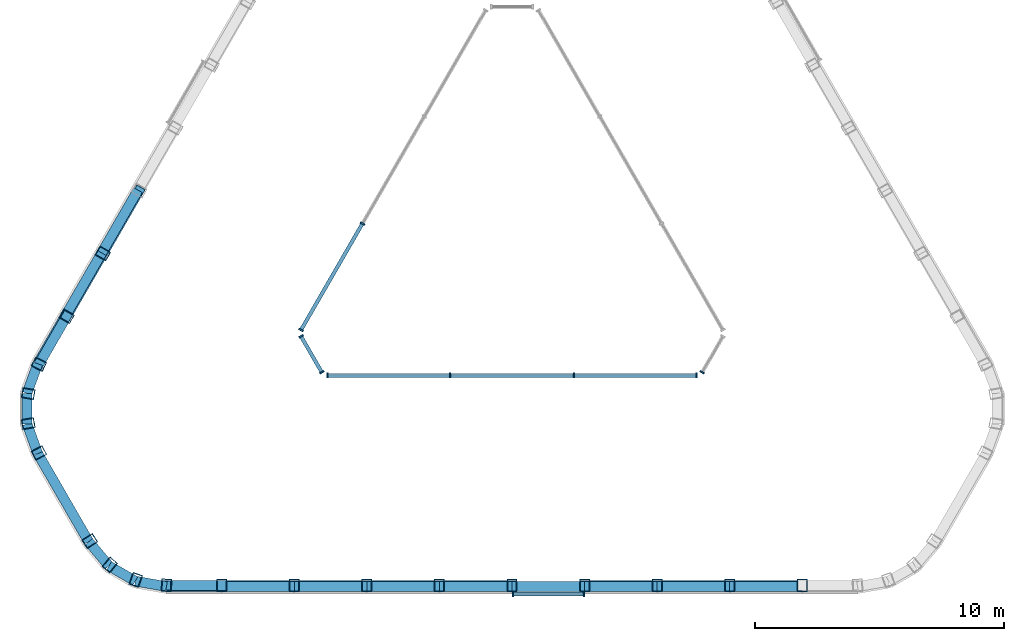
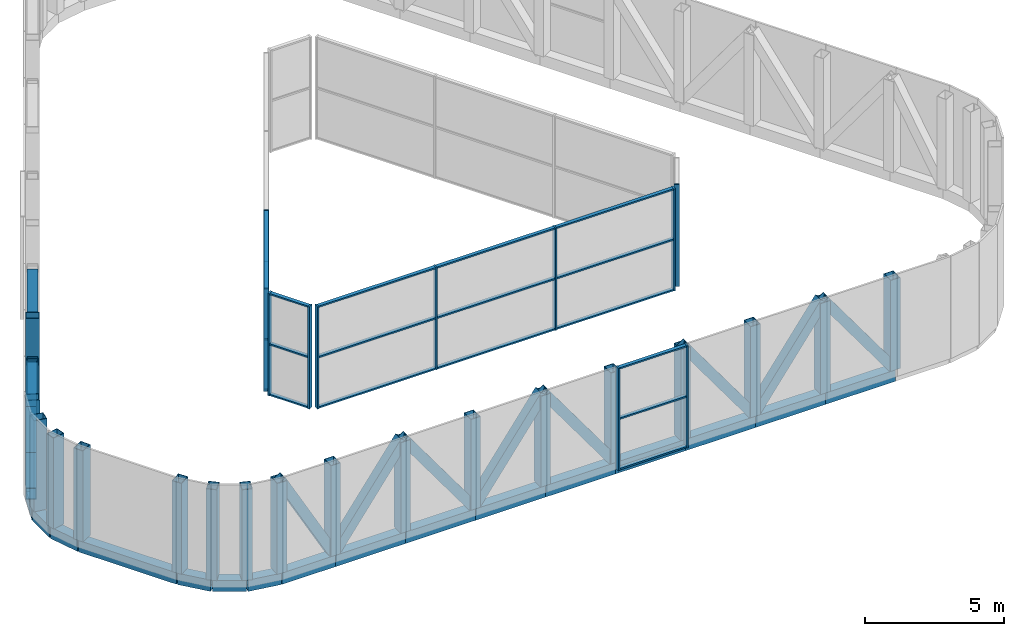
# One storey, part 1 of 5: 78 members, 5 elements without a shape of their own.
"""IFC4 building model written with IfcOpenShell, lengths in metres."""

from ifc_helpers import new_model, si_unit, direction, frame, origin, origin_2d, place, context, subcontext, project, spatial, rectangle, hollow_rectangle, extrude, material, layer, layer_set, material_profile, profile_set, type_object, element, aggregate, save


model = new_model("IFC4")

# Units and contexts
model_context = context("Model", 3, precision=1e-05, world=origin(), true_north=direction((0.0, 1.0)))
body_context = subcontext(model_context, "Body", "Model", "MODEL_VIEW")
ifc_project = project(units=[si_unit("LENGTHUNIT", "METRE"), si_unit("AREAUNIT", "SQUARE_METRE"), si_unit("VOLUMEUNIT", "CUBIC_METRE"), si_unit("PLANEANGLEUNIT", "RADIAN"), si_unit("MASSUNIT", "GRAM", prefix="KILO")], contexts=[model_context])

# Site, building, storey
site_placement = place(None, origin())
site = spatial("IfcSite", under=ifc_project, at=site_placement, CompositionType="ELEMENT")
building_placement = place(site_placement, origin())
building = spatial("IfcBuilding", under=site, at=building_placement, Name="Apuvela Tower Hotel", CompositionType="ELEMENT")
storey_placement = place(building_placement, frame((0.0, 0.0, 353.300048828125)))
storey = spatial("IfcBuildingStorey", under=building, at=storey_placement, Name="R-3 ROOF", CompositionType="ELEMENT", Elevation=353.300048828125)

# Members
ifc_material_1 = material(Name="Steel S355, black paint system", Category="steel")
ifc_material_profile_1 = material_profile(ifc_material_1, hollow_rectangle(XDim=0.39990234375, YDim=0.39990234375, WallThickness=0.01611328125, at=origin_2d()), Name="HSS 400x400x16")
ifc_profile_set_1 = profile_set([ifc_material_profile_1], Name="Steel S355, black paint system")
member_type_1 = type_object("IfcMemberType", Name="ENV-CROWN-BRACE-400x400", PredefinedType="BRACE", material=ifc_profile_set_1)
for number, where, z_axis, x_axis, name in (
    (1, (-16.428466796875, -0.602294921875, 0.25), (0.294292360305, 0.509682392621, 0.808465129315), (-0.866005469285, 0.500034525977, 0.0), "Crown frame brace 14"),
    (2, (-16.428466796875, -0.602294921875, 0.25), (-0.294284958722, -0.509718917438, 0.80844479606), (0.866026430432, -0.49999822179, 0.0), "Crown frame brace 15"),
):
    element("IfcMember", number, at=place(storey_placement, frame(where, z_axis=z_axis, x_axis=x_axis)), inside=storey, type_object=member_type_1, Name=name, PredefinedType="BRACE", context=body_context, shape_type="SweptSolid", body=[
        extrude(hollow_rectangle(XDim=0.39990234375, YDim=0.39990234375, WallThickness=0.01611328125, at=origin_2d()), origin(), (0.0, 0.0, 1.0), 4.94775390625),
    ])
member_1_placement = place(storey_placement, frame((-18.99609375, -5.0498046875, 0.25), z_axis=(0.242893162774, 0.420755188842, 0.874052620006), x_axis=(-0.866052104262, 0.499953750565, 0.0)))
element("IfcMember", 3, at=member_1_placement, inside=storey, type_object=member_type_1, Name="Crown frame brace 16", PredefinedType="BRACE", context=body_context, shape_type="SweptSolid", body=[
    extrude(hollow_rectangle(XDim=0.39990234375, YDim=0.39990234375, WallThickness=0.01611328125, at=origin_2d()), origin(), (0.0, 0.0, 1.0), 4.576416015625),
])
member_2_placement = place(storey_placement, frame((-11.64794921875, -13.92626953125, 0.25), z_axis=(-0.485796931429, 0.0, 0.874071702673), x_axis=(0.0, -1.0, 0.0)))
element("IfcMember", 4, at=member_2_placement, inside=storey, type_object=member_type_1, Name="Crown frame brace 24", PredefinedType="BRACE", context=body_context, shape_type="SweptSolid", body=[
    extrude(hollow_rectangle(XDim=0.39990234375, YDim=0.39990234375, WallThickness=0.01611328125, at=origin_2d()), origin(), (0.0, 0.0, 1.0), 4.576171875),
])
member_3_placement = place(storey_placement, frame((-11.64794921875, -13.92626953125, 0.25), z_axis=(0.588570642565, 0.0, 0.808445792067), x_axis=(0.0, 1.0, 0.0)))
element("IfcMember", 5, at=member_3_placement, inside=storey, type_object=member_type_1, Name="Crown frame brace 25", PredefinedType="BRACE", context=body_context, shape_type="SweptSolid", body=[
    extrude(hollow_rectangle(XDim=0.39990234375, YDim=0.39990234375, WallThickness=0.01611328125, at=origin_2d()), origin(), (0.0, 0.0, 1.0), 4.94775390625),
])
for number, where, z_axis, x_axis, name in (
    (6, (-5.823974609375, -13.92626953125, 0.25), (-0.588538390933, 0.0, 0.808469271153), (0.0, -1.0, 0.0), "Crown frame brace 26"),
    (7, (-5.823974609375, -13.92626953125, 0.25), (0.588538390933, 0.0, 0.808469271153), (0.0, 1.0, 0.0), "Crown frame brace 27"),
):
    element("IfcMember", number, at=place(storey_placement, frame(where, z_axis=z_axis, x_axis=x_axis)), inside=storey, type_object=member_type_1, Name=name, PredefinedType="BRACE", context=body_context, shape_type="SweptSolid", body=[
        extrude(hollow_rectangle(XDim=0.39990234375, YDim=0.39990234375, WallThickness=0.01611328125, at=origin_2d()), origin(), (0.0, 0.0, 1.0), 4.947509765625),
    ])
member_4_placement = place(storey_placement, frame((0.0, -13.92626953125, 0.25), z_axis=(-0.588570642565, 0.0, 0.808445792067), x_axis=(0.0, -1.0, 0.0)))
element("IfcMember", 8, at=member_4_placement, inside=storey, type_object=member_type_1, Name="Crown frame brace 28", PredefinedType="BRACE", context=body_context, shape_type="SweptSolid", body=[
    extrude(hollow_rectangle(XDim=0.39990234375, YDim=0.39990234375, WallThickness=0.01611328125, at=origin_2d()), origin(), (0.0, 0.0, 1.0), 4.94775390625),
])
for number, where, z_axis, x_axis, name in (
    (9, (5.823974609375, -13.92626953125, 0.25), (-0.588538390933, 0.0, 0.808469271153), (0.0, -1.0, 0.0), "Crown frame brace 30"),
    (10, (5.823974609375, -13.92626953125, 0.25), (0.588538390933, 0.0, 0.808469271153), (0.0, 1.0, 0.0), "Crown frame brace 31"),
):
    element("IfcMember", number, at=place(storey_placement, frame(where, z_axis=z_axis, x_axis=x_axis)), inside=storey, type_object=member_type_1, Name=name, PredefinedType="BRACE", context=body_context, shape_type="SweptSolid", body=[
        extrude(hollow_rectangle(XDim=0.39990234375, YDim=0.39990234375, WallThickness=0.01611328125, at=origin_2d()), origin(), (0.0, 0.0, 1.0), 4.947509765625),
    ])
member_5_placement = place(storey_placement, frame((11.64794921875, -13.92626953125, 0.25), z_axis=(-0.588570642565, 0.0, 0.808445792067), x_axis=(0.0, -1.0, 0.0)))
element("IfcMember", 11, at=member_5_placement, inside=storey, type_object=member_type_1, Name="Crown frame brace 32", PredefinedType="BRACE", context=body_context, shape_type="SweptSolid", body=[
    extrude(hollow_rectangle(XDim=0.39990234375, YDim=0.39990234375, WallThickness=0.01611328125, at=origin_2d()), origin(), (0.0, 0.0, 1.0), 4.94775390625),
])
ifc_material_profile_2 = material_profile(ifc_material_1, hollow_rectangle(XDim=0.39990234375, YDim=0.5, WallThickness=0.02001953125, at=origin_2d()), Name="HSS 500x400x20")
ifc_profile_set_2 = profile_set([ifc_material_profile_2], Name="Steel S355, black paint system")
member_type_2 = type_object("IfcMemberType", Name="ENV-CROWN-POST-500x400", PredefinedType="POST", material=ifc_profile_set_2)
for number, where, z_axis, x_axis, name in (
    (12, (-16.428466796875, -0.602294921875, 0.25), (0.0, 0.0, 1.0), (-0.5, -0.866025403784, 0.0), "Crown frame post 15"),
    (13, (-17.884521484375, -3.124267578125, 0.25), (0.0, 0.0, 1.0), (-0.5, -0.866025403784, 0.0), "Crown frame post 16"),
    (14, (-18.99609375, -5.0498046875, 0.25), (0.0, 0.0, 1.0), (-0.444553885133, -0.895752110359, 0.0), "Crown frame post 17"),
    (15, (-19.42529296875, -6.229248046875, 0.25), (0.0, 0.0, 1.0), (-0.177414537484, -0.984136211045, 0.0), "Crown frame post 18"),
    (16, (-19.42529296875, -7.43115234375, 0.25), (0.0, 0.0, 1.0), (0.177414537484, -0.984136211045, 0.0), "Crown frame post 19"),
    (17, (-18.99609375, -8.610595703125, 0.25), (0.0, 0.0, 1.0), (0.464115596815, -0.885774639958, 0.0), "Crown frame post 20"),
    (18, (-16.955078125, -12.145751953125, 0.25), (0.0, 0.0, 1.0), (0.535045541825, -0.844823217113, 0.0), "Crown frame post 21"),
    (19, (-16.148193359375, -13.107421875, 0.25), (0.0, 0.0, 1.0), (0.763579690807, -0.645713601984, 0.0), "Crown frame post 22"),
    (20, (-15.107421875, -13.708251953125, 0.25), (0.0, 0.0, 1.0), (0.940994228291, -0.33842260906, 0.0), "Crown frame post 23"),
    (21, (-13.87109375, -13.92626953125, 0.25), (0.0, 0.0, 1.0), (0.998021025631, -0.062881097303, 0.0), "Crown frame post 24"),
    (22, (-11.64794921875, -13.92626953125, 0.25), (0.0, 0.0, 1.0), (1.0, 0.0, 0.0), "Crown frame post 25"),
    (23, (-8.73583984375, -13.92626953125, 0.25), (0.0, 0.0, 1.0), (1.0, 0.0, 0.0), "Crown frame post 26"),
    (24, (-5.823974609375, -13.92626953125, 0.25), (0.0, 0.0, 1.0), (1.0, 0.0, 0.0), "Crown frame post 27"),
    (25, (-2.912109375, -13.92626953125, 0.25), (0.0, 0.0, 1.0), (1.0, 0.0, 0.0), "Crown frame post 28"),
    (26, (0.0, -13.92626953125, 0.25), (0.0, 0.0, 1.0), (1.0, 0.0, 0.0), "Crown frame post 29"),
    (27, (2.912109375, -13.92626953125, 0.25), (0.0, 0.0, 1.0), (1.0, 0.0, 0.0), "Crown frame post 30"),
    (28, (5.823974609375, -13.92626953125, 0.25), (0.0, 0.0, 1.0), (1.0, 0.0, 0.0), "Crown frame post 31"),
    (29, (8.73583984375, -13.92626953125, 0.25), (0.0, 0.0, 1.0), (1.0, 0.0, 0.0), "Crown frame post 32"),
    (30, (11.64794921875, -13.92626953125, 0.25), (0.0, 0.0, 1.0), (1.0, 0.0, 0.0), "Crown frame post 33"),
):
    element("IfcMember", number, at=place(storey_placement, frame(where, z_axis=z_axis, x_axis=x_axis)), inside=storey, type_object=member_type_2, Name=name, PredefinedType="POST", context=body_context, shape_type="SweptSolid", body=[
        extrude(hollow_rectangle(XDim=0.39990234375, YDim=0.5, WallThickness=0.02001953125, at=origin_2d()), origin(), (0.0, 0.0, 1.0), 4.0),
    ])
ifc_material_profile_3 = material_profile(ifc_material_1, hollow_rectangle(XDim=0.39990234375, YDim=0.5, WallThickness=0.01611328125, at=origin_2d()), Name="HSS 500x400x16")
ifc_profile_set_3 = profile_set([ifc_material_profile_3], Name="Steel S355, black paint system")
member_type_3 = type_object("IfcMemberType", Name="ENV-CROWN-RING-500x400", PredefinedType="STRINGER", material=ifc_profile_set_3)
member_6_placement = place(storey_placement, frame((-15.0166015625, 1.94287109375, 0.0), z_axis=(-0.500015065024, -0.866016705814, 0.0), x_axis=(0.866016705814, -0.500015065024, 0.0)))
element("IfcMember", 31, at=member_6_placement, inside=storey, type_object=member_type_3, Name="Crown frame ring beam 3.14", PredefinedType="STRINGER", context=body_context, shape_type="SweptSolid", body=[
    extrude(hollow_rectangle(XDim=0.39990234375, YDim=0.5, WallThickness=0.01611328125, at=origin_2d()), origin(), (0.0, 0.0, 1.0), 2.9130859375),
])
member_7_placement = place(storey_placement, frame((-16.47314453125, -0.579833984375, 0.0), z_axis=(-0.499952204256, -0.866052996912, 0.0), x_axis=(0.866052996912, -0.499952204256, 0.0)))
element("IfcMember", 32, at=member_7_placement, inside=storey, type_object=member_type_3, Name="Crown frame ring beam 3.15", PredefinedType="STRINGER", context=body_context, shape_type="SweptSolid", body=[
    extrude(hollow_rectangle(XDim=0.39990234375, YDim=0.5, WallThickness=0.01611328125, at=origin_2d()), origin(), (0.0, 0.0, 1.0), 2.912841796875),
])
member_8_placement = place(storey_placement, frame((-17.929443359375, -3.1025390625, 0.0), z_axis=(-0.500023359282, -0.866011916877, 0.0), x_axis=(0.866011916877, -0.500023359282, 0.0)))
element("IfcMember", 33, at=member_8_placement, inside=storey, type_object=member_type_3, Name="Crown frame ring beam 3.16", PredefinedType="STRINGER", context=body_context, shape_type="SweptSolid", body=[
    extrude(hollow_rectangle(XDim=0.39990234375, YDim=0.5, WallThickness=0.01611328125, at=origin_2d()), origin(), (0.0, 0.0, 1.0), 2.22412109375),
])
member_9_placement = place(storey_placement, frame((-19.04150390625, -5.028564453125, 0.0), z_axis=(-0.34203668354, -0.939686600475, 0.0), x_axis=(0.939686600475, -0.34203668354, 0.0)))
element("IfcMember", 34, at=member_9_placement, inside=storey, type_object=member_type_3, Name="Crown frame ring beam 3.17", PredefinedType="STRINGER", context=body_context, shape_type="SweptSolid", body=[
    extrude(hollow_rectangle(XDim=0.39990234375, YDim=0.5, WallThickness=0.01611328125, at=origin_2d()), origin(), (0.0, 0.0, 1.0), 1.268310546875),
])
member_10_placement = place(storey_placement, frame((-19.475341796875, -6.220458984375, 0.0), z_axis=(0.0, -1.0, 0.0), x_axis=(1.0, 0.0, 0.0)))
element("IfcMember", 35, at=member_10_placement, inside=storey, type_object=member_type_3, Name="Crown frame ring beam 3.18", PredefinedType="STRINGER", context=body_context, shape_type="SweptSolid", body=[
    extrude(hollow_rectangle(XDim=0.39990234375, YDim=0.5, WallThickness=0.01611328125, at=origin_2d()), origin(), (0.0, 0.0, 1.0), 1.219482421875),
])
member_11_placement = place(storey_placement, frame((-19.475341796875, -7.43994140625, 0.0), z_axis=(0.34203668354, -0.939686600475, 0.0), x_axis=(0.939686600475, 0.34203668354, 0.0)))
element("IfcMember", 36, at=member_11_placement, inside=storey, type_object=member_type_3, Name="Crown frame ring beam 3.19", PredefinedType="STRINGER", context=body_context, shape_type="SweptSolid", body=[
    extrude(hollow_rectangle(XDim=0.39990234375, YDim=0.5, WallThickness=0.01611328125, at=origin_2d()), origin(), (0.0, 0.0, 1.0), 1.268310546875),
])
member_12_placement = place(storey_placement, frame((-19.04150390625, -8.6318359375, 0.0), z_axis=(0.500003144135, -0.86602358851, 0.0), x_axis=(0.86602358851, 0.500003144135, 0.0)))
element("IfcMember", 37, at=member_12_placement, inside=storey, type_object=member_type_3, Name="Crown frame ring beam 3.20", PredefinedType="STRINGER", context=body_context, shape_type="SweptSolid", body=[
    extrude(hollow_rectangle(XDim=0.39990234375, YDim=0.5, WallThickness=0.01611328125, at=origin_2d()), origin(), (0.0, 0.0, 1.0), 4.0908203125),
])
member_13_placement = place(storey_placement, frame((-16.99609375, -12.174560546875, 0.0), z_axis=(0.642717965607, -0.766102876046, 0.0), x_axis=(0.766102876046, 0.642717965607, 0.0)))
element("IfcMember", 38, at=member_13_placement, inside=storey, type_object=member_type_3, Name="Crown frame ring beam 3.21", PredefinedType="STRINGER", context=body_context, shape_type="SweptSolid", body=[
    extrude(hollow_rectangle(XDim=0.39990234375, YDim=0.5, WallThickness=0.01611328125, at=origin_2d()), origin(), (0.0, 0.0, 1.0), 1.268310546875),
])
member_14_placement = place(storey_placement, frame((-16.180908203125, -13.146240234375, 0.0), z_axis=(0.866078909804, -0.499907313403, 0.0), x_axis=(0.499907313403, 0.866078909804, 0.0)))
element("IfcMember", 39, at=member_14_placement, inside=storey, type_object=member_type_3, Name="Crown frame ring beam 3.22", PredefinedType="STRINGER", context=body_context, shape_type="SweptSolid", body=[
    extrude(hollow_rectangle(XDim=0.39990234375, YDim=0.5, WallThickness=0.01611328125, at=origin_2d()), origin(), (0.0, 0.0, 1.0), 1.219482421875),
])
member_15_placement = place(storey_placement, frame((-15.124755859375, -13.755859375, 0.0), z_axis=(0.984783558818, -0.173785333909, 0.0), x_axis=(0.173785333909, 0.984783558818, 0.0)))
element("IfcMember", 40, at=member_15_placement, inside=storey, type_object=member_type_3, Name="Crown frame ring beam 3.23", PredefinedType="STRINGER", context=body_context, shape_type="SweptSolid", body=[
    extrude(hollow_rectangle(XDim=0.39990234375, YDim=0.5, WallThickness=0.01611328125, at=origin_2d()), origin(), (0.0, 0.0, 1.0), 1.2685546875),
])
member_16_placement = place(storey_placement, frame((-13.87548828125, -13.976318359375, 0.0), z_axis=(1.0, 0.0, 0.0), x_axis=(0.0, 1.0, 0.0)))
element("IfcMember", 41, at=member_16_placement, inside=storey, type_object=member_type_3, Name="Crown frame ring beam 3.24", PredefinedType="STRINGER", context=body_context, shape_type="SweptSolid", body=[
    extrude(hollow_rectangle(XDim=0.39990234375, YDim=0.5, WallThickness=0.01611328125, at=origin_2d()), origin(), (0.0, 0.0, 1.0), 2.223876953125),
])
member_17_placement = place(storey_placement, frame((-11.651611328125, -13.976318359375, 0.0), z_axis=(1.0, 0.0, 0.0), x_axis=(0.0, 1.0, 0.0)))
element("IfcMember", 42, at=member_17_placement, inside=storey, type_object=member_type_3, Name="Crown frame ring beam 3.25", PredefinedType="STRINGER", context=body_context, shape_type="SweptSolid", body=[
    extrude(hollow_rectangle(XDim=0.39990234375, YDim=0.5, WallThickness=0.01611328125, at=origin_2d()), origin(), (0.0, 0.0, 1.0), 2.912841796875),
])
member_18_placement = place(storey_placement, frame((-8.73876953125, -13.976318359375, 0.0), z_axis=(1.0, 0.0, 0.0), x_axis=(0.0, 1.0, 0.0)))
element("IfcMember", 43, at=member_18_placement, inside=storey, type_object=member_type_3, Name="Crown frame ring beam 3.26", PredefinedType="STRINGER", context=body_context, shape_type="SweptSolid", body=[
    extrude(hollow_rectangle(XDim=0.39990234375, YDim=0.5, WallThickness=0.01611328125, at=origin_2d()), origin(), (0.0, 0.0, 1.0), 2.9130859375),
])
for number, where, z_axis, x_axis, name in (
    (44, (-5.82568359375, -13.976318359375, 0.0), (1.0, 0.0, 0.0), (0.0, 1.0, 0.0), "Crown frame ring beam 3.27"),
    (45, (-2.912841796875, -13.976318359375, 0.0), (1.0, 0.0, 0.0), (0.0, 1.0, 0.0), "Crown frame ring beam 3.28"),
    (46, (0.0, -13.976318359375, 0.0), (1.0, 0.0, 0.0), (0.0, 1.0, 0.0), "Crown frame ring beam 3.29"),
    (47, (2.912841796875, -13.976318359375, 0.0), (1.0, 0.0, 0.0), (0.0, 1.0, 0.0), "Crown frame ring beam 3.30"),
):
    element("IfcMember", number, at=place(storey_placement, frame(where, z_axis=z_axis, x_axis=x_axis)), inside=storey, type_object=member_type_3, Name=name, PredefinedType="STRINGER", context=body_context, shape_type="SweptSolid", body=[
        extrude(hollow_rectangle(XDim=0.39990234375, YDim=0.5, WallThickness=0.01611328125, at=origin_2d()), origin(), (0.0, 0.0, 1.0), 2.912841796875),
    ])
member_19_placement = place(storey_placement, frame((5.82568359375, -13.976318359375, 0.0), z_axis=(1.0, 0.0, 0.0), x_axis=(0.0, 1.0, 0.0)))
element("IfcMember", 48, at=member_19_placement, inside=storey, type_object=member_type_3, Name="Crown frame ring beam 3.31", PredefinedType="STRINGER", context=body_context, shape_type="SweptSolid", body=[
    extrude(hollow_rectangle(XDim=0.39990234375, YDim=0.5, WallThickness=0.01611328125, at=origin_2d()), origin(), (0.0, 0.0, 1.0), 2.9130859375),
])
member_20_placement = place(storey_placement, frame((8.73876953125, -13.976318359375, 0.0), z_axis=(1.0, 0.0, 0.0), x_axis=(0.0, 1.0, 0.0)))
element("IfcMember", 49, at=member_20_placement, inside=storey, type_object=member_type_3, Name="Crown frame ring beam 3.32", PredefinedType="STRINGER", context=body_context, shape_type="SweptSolid", body=[
    extrude(hollow_rectangle(XDim=0.39990234375, YDim=0.5, WallThickness=0.01611328125, at=origin_2d()), origin(), (0.0, 0.0, 1.0), 2.912841796875),
])

# Curtain wall, members
ifc_material_2 = material(Name="Aluminium 6063-T6, dark bronze anodised", Category="aluminium")
ifc_layer_1 = layer(ifc_material_2, 0.199951171875)
ifc_layer_set_1 = layer_set([ifc_layer_1], Name="ENV-CW-C")
curtain_wall_type_1 = type_object("IfcCurtainWallType", Name="ENV-CW-C", PredefinedType="NOTDEFINED", material=ifc_layer_set_1)
curtain_wall_1_placement = place(storey_placement, origin())
curtain_wall_1 = element("IfcCurtainWall", 50, at=curtain_wall_1_placement, inside=storey, type_object=curtain_wall_type_1, Name="Crown glazing 29 R-3 ROOF", PredefinedType="NOTDEFINED")
ifc_material_profile_4 = material_profile(ifc_material_2, rectangle(XDim=0.199951171875, YDim=0.06494140625, at=origin_2d()), Name="AL 65x200")
ifc_profile_set_4 = profile_set([ifc_material_profile_4], Name="Aluminium 6063-T6, dark bronze anodised")
member_type_4 = type_object("IfcMemberType", Name="ENV-MULLION-65x200", PredefinedType="MULLION", material=ifc_profile_set_4)
member_21_placement = place(storey_placement, frame((0.032470703125, -14.276123046875, 0.0), z_axis=(0.0, 0.0, 1.0), x_axis=(0.0, 1.0, 0.0)))
member_21 = element("IfcMember", 51, at=member_21_placement, type_object=member_type_4, Name="CW-C mullion 1", PredefinedType="MULLION", context=body_context, shape_type="SweptSolid", body=[
    extrude(rectangle(XDim=0.199951171875, YDim=0.06494140625, at=origin_2d()), origin(), (0.0, 0.0, 1.0), 4.5),
])
member_22_placement = place(storey_placement, frame((2.884765625, -14.276123046875, 0.0), z_axis=(0.0, 0.0, 1.0), x_axis=(0.0, 1.0, 0.0)))
member_22 = element("IfcMember", 52, at=member_22_placement, type_object=member_type_4, Name="CW-C mullion 2", PredefinedType="MULLION", context=body_context, shape_type="SweptSolid", body=[
    extrude(rectangle(XDim=0.199951171875, YDim=0.06494140625, at=origin_2d()), origin(), (0.0, 0.0, 1.0), 4.5),
])

ifc_layer_2 = layer(ifc_material_2, 0.199951171875)
ifc_layer_set_2 = layer_set([ifc_layer_2], Name="ENV-CW-A")
curtain_wall_type_2 = type_object("IfcCurtainWallType", Name="ENV-CW-A", PredefinedType="NOTDEFINED", material=ifc_layer_set_2)
curtain_wall_2_placement = place(storey_placement, origin())
curtain_wall_2 = element("IfcCurtainWall", 53, at=curtain_wall_2_placement, inside=storey, type_object=curtain_wall_type_2, Name="Atrium glazing 2 R-3 ROOF", PredefinedType="NOTDEFINED")
member_23_placement = place(storey_placement, frame((-6.00439453125, 0.60009765625, 0.0), z_axis=(0.0, 0.0, 1.0), x_axis=(0.866025940778, -0.499999069899, 0.0)))
member_23 = element("IfcMember", 54, at=member_23_placement, type_object=member_type_4, Name="CW-A mullion 3", PredefinedType="MULLION", context=body_context, shape_type="SweptSolid", body=[
    extrude(rectangle(XDim=0.199951171875, YDim=0.06494140625, at=origin_2d()), origin(), (0.0, 0.0, 1.0), 4.5),
])
member_24_placement = place(storey_placement, frame((-8.470703125, -3.671875, 0.0), z_axis=(0.0, 0.0, 1.0), x_axis=(0.866025940778, -0.499999069899, 0.0)))
member_24 = element("IfcMember", 55, at=member_24_placement, type_object=member_type_4, Name="CW-A mullion 4", PredefinedType="MULLION", context=body_context, shape_type="SweptSolid", body=[
    extrude(rectangle(XDim=0.199951171875, YDim=0.06494140625, at=origin_2d()), origin(), (0.0, 0.0, 1.0), 4.5),
])

curtain_wall_3_placement = place(storey_placement, origin())
curtain_wall_3 = element("IfcCurtainWall", 56, at=curtain_wall_3_placement, inside=storey, type_object=curtain_wall_type_2, Name="Atrium glazing 3 R-3 ROOF", PredefinedType="NOTDEFINED")
member_25_placement = place(storey_placement, frame((-8.470703125, -3.92822265625, 0.0), z_axis=(0.0, 0.0, 1.0), x_axis=(0.866031754706, 0.49998899972, 0.0)))
member_25 = element("IfcMember", 57, at=member_25_placement, type_object=member_type_4, Name="CW-A mullion 1", PredefinedType="MULLION", context=body_context, shape_type="SweptSolid", body=[
    extrude(rectangle(XDim=0.199951171875, YDim=0.06494140625, at=origin_2d()), origin(), (0.0, 0.0, 1.0), 4.5),
])
member_26_placement = place(storey_placement, frame((-7.63720703125, -5.371826171875, 0.0), z_axis=(0.0, 0.0, 1.0), x_axis=(0.866031754706, 0.49998899972, 0.0)))
member_26 = element("IfcMember", 58, at=member_26_placement, type_object=member_type_4, Name="CW-A mullion 2", PredefinedType="MULLION", context=body_context, shape_type="SweptSolid", body=[
    extrude(rectangle(XDim=0.199951171875, YDim=0.06494140625, at=origin_2d()), origin(), (0.0, 0.0, 1.0), 4.5),
])

curtain_wall_4_placement = place(storey_placement, origin())
curtain_wall_4 = element("IfcCurtainWall", 59, at=curtain_wall_4_placement, inside=storey, type_object=curtain_wall_type_2, Name="Atrium glazing 4 R-3 ROOF", PredefinedType="NOTDEFINED")
member_27_placement = place(storey_placement, frame((-7.415283203125, -5.5, 0.0), z_axis=(0.0, 0.0, 1.0), x_axis=(0.0, 1.0, 0.0)))
member_27 = element("IfcMember", 60, at=member_27_placement, type_object=member_type_4, Name="CW-A mullion 1", PredefinedType="MULLION", context=body_context, shape_type="SweptSolid", body=[
    extrude(rectangle(XDim=0.199951171875, YDim=0.06494140625, at=origin_2d()), origin(), (0.0, 0.0, 1.0), 4.5),
])
member_28_placement = place(storey_placement, frame((-2.482666015625, -5.5, 0.0), z_axis=(0.0, 0.0, 1.0), x_axis=(0.0, 1.0, 0.0)))
member_28 = element("IfcMember", 61, at=member_28_placement, type_object=member_type_4, Name="CW-A mullion 2", PredefinedType="MULLION", context=body_context, shape_type="SweptSolid", body=[
    extrude(rectangle(XDim=0.199951171875, YDim=0.06494140625, at=origin_2d()), origin(), (0.0, 0.0, 1.0), 4.5),
])
member_29_placement = place(storey_placement, frame((2.482666015625, -5.5, 0.0), z_axis=(0.0, 0.0, 1.0), x_axis=(0.0, 1.0, 0.0)))
member_29 = element("IfcMember", 62, at=member_29_placement, type_object=member_type_4, Name="CW-A mullion 3", PredefinedType="MULLION", context=body_context, shape_type="SweptSolid", body=[
    extrude(rectangle(XDim=0.199951171875, YDim=0.06494140625, at=origin_2d()), origin(), (0.0, 0.0, 1.0), 4.5),
])
member_30_placement = place(storey_placement, frame((7.415283203125, -5.5, 0.0), z_axis=(0.0, 0.0, 1.0), x_axis=(0.0, 1.0, 0.0)))
member_30 = element("IfcMember", 63, at=member_30_placement, type_object=member_type_4, Name="CW-A mullion 4", PredefinedType="MULLION", context=body_context, shape_type="SweptSolid", body=[
    extrude(rectangle(XDim=0.199951171875, YDim=0.06494140625, at=origin_2d()), origin(), (0.0, 0.0, 1.0), 4.5),
])

# Curtain wall, member
curtain_wall_5_placement = place(storey_placement, origin())
curtain_wall_5 = element("IfcCurtainWall", 64, at=curtain_wall_5_placement, inside=storey, type_object=curtain_wall_type_2, Name="Atrium glazing 5 R-3 ROOF", PredefinedType="NOTDEFINED")
member_31_placement = place(storey_placement, frame((7.63720703125, -5.371826171875, 0.0), z_axis=(0.0, 0.0, 1.0), x_axis=(-0.866031754706, 0.49998899972, 0.0)))
member_31 = element("IfcMember", 65, at=member_31_placement, type_object=member_type_4, Name="CW-A mullion 1", PredefinedType="MULLION", context=body_context, shape_type="SweptSolid", body=[
    extrude(rectangle(XDim=0.199951171875, YDim=0.06494140625, at=origin_2d()), origin(), (0.0, 0.0, 1.0), 4.5),
])
aggregate(curtain_wall_5, [member_31])

# Member
ifc_material_profile_5 = material_profile(ifc_material_2, rectangle(XDim=0.14990234375, YDim=0.06494140625, at=origin_2d()), Name="AL 65x150 transom")
ifc_profile_set_5 = profile_set([ifc_material_profile_5], Name="Aluminium 6063-T6, dark bronze anodised")
member_type_5 = type_object("IfcMemberType", Name="ENV-TRANSOM-65x150", PredefinedType="USERDEFINED", material=ifc_profile_set_5)
member_32_placement = place(storey_placement, frame((0.06494140625, -14.276123046875, 0.032470703125), z_axis=(1.0, 0.0, 0.0), x_axis=(0.0, 1.0, 0.0)))
member_32 = element("IfcMember", 66, at=member_32_placement, type_object=member_type_5, Name="CW-C transom 1.1", ObjectType="TRANSOM", PredefinedType="USERDEFINED", context=body_context, shape_type="SweptSolid", body=[
    extrude(rectangle(XDim=0.14990234375, YDim=0.06494140625, at=origin_2d()), origin(), (0.0, 0.0, 1.0), 2.787353515625),
])

member_33_placement = place(storey_placement, frame((0.06494140625, -14.276123046875, 2.25), z_axis=(1.0, 0.0, 0.0), x_axis=(0.0, 1.0, 0.0)))
member_33 = element("IfcMember", 67, at=member_33_placement, type_object=member_type_5, Name="CW-C transom 1.2", ObjectType="TRANSOM", PredefinedType="USERDEFINED", context=body_context, shape_type="SweptSolid", body=[
    extrude(rectangle(XDim=0.14990234375, YDim=0.06494140625, at=origin_2d()), origin(), (0.0, 0.0, 1.0), 2.787353515625),
])

member_34_placement = place(storey_placement, frame((0.06494140625, -14.276123046875, 4.467529296875), z_axis=(1.0, 0.0, 0.0), x_axis=(0.0, 1.0, 0.0)))
member_34 = element("IfcMember", 68, at=member_34_placement, type_object=member_type_5, Name="CW-C transom 1.3", ObjectType="TRANSOM", PredefinedType="USERDEFINED", context=body_context, shape_type="SweptSolid", body=[
    extrude(rectangle(XDim=0.14990234375, YDim=0.06494140625, at=origin_2d()), origin(), (0.0, 0.0, 1.0), 2.787353515625),
])

aggregate(curtain_wall_1, [member_21, member_22, member_32, member_33, member_34])

member_35_placement = place(storey_placement, frame((-6.020751953125, 0.57177734375, 0.032470703125), z_axis=(-0.49999597136, -0.866027729709, 0.0), x_axis=(0.866027729709, -0.49999597136, 0.0)))
member_35 = element("IfcMember", 69, at=member_35_placement, type_object=member_type_5, Name="CW-A transom 3.1", ObjectType="TRANSOM", PredefinedType="USERDEFINED", context=body_context, shape_type="SweptSolid", body=[
    extrude(rectangle(XDim=0.14990234375, YDim=0.06494140625, at=origin_2d()), origin(), (0.0, 0.0, 1.0), 4.86767578125),
])

member_36_placement = place(storey_placement, frame((-6.020751953125, 0.57177734375, 2.25), z_axis=(-0.49999597136, -0.866027729709, 0.0), x_axis=(0.866027729709, -0.49999597136, 0.0)))
member_36 = element("IfcMember", 70, at=member_36_placement, type_object=member_type_5, Name="CW-A transom 3.2", ObjectType="TRANSOM", PredefinedType="USERDEFINED", context=body_context, shape_type="SweptSolid", body=[
    extrude(rectangle(XDim=0.14990234375, YDim=0.06494140625, at=origin_2d()), origin(), (0.0, 0.0, 1.0), 4.86767578125),
])

member_37_placement = place(storey_placement, frame((-6.020751953125, 0.57177734375, 4.467529296875), z_axis=(-0.49999597136, -0.866027729709, 0.0), x_axis=(0.866027729709, -0.49999597136, 0.0)))
member_37 = element("IfcMember", 71, at=member_37_placement, type_object=member_type_5, Name="CW-A transom 3.3", ObjectType="TRANSOM", PredefinedType="USERDEFINED", context=body_context, shape_type="SweptSolid", body=[
    extrude(rectangle(XDim=0.14990234375, YDim=0.06494140625, at=origin_2d()), origin(), (0.0, 0.0, 1.0), 4.86767578125),
])

aggregate(curtain_wall_2, [member_23, member_24, member_35, member_36, member_37])

member_38_placement = place(storey_placement, frame((-8.45458984375, -3.956298828125, 0.032470703125), z_axis=(0.499990676028, -0.866030786915, 0.0), x_axis=(0.866030786915, 0.499990676028, 0.0)))
member_38 = element("IfcMember", 72, at=member_38_placement, type_object=member_type_5, Name="CW-A transom 1.1", ObjectType="TRANSOM", PredefinedType="USERDEFINED", context=body_context, shape_type="SweptSolid", body=[
    extrude(rectangle(XDim=0.14990234375, YDim=0.06494140625, at=origin_2d()), origin(), (0.0, 0.0, 1.0), 1.60205078125),
])

member_39_placement = place(storey_placement, frame((-8.45458984375, -3.956298828125, 2.25), z_axis=(0.499990676028, -0.866030786915, 0.0), x_axis=(0.866030786915, 0.499990676028, 0.0)))
member_39 = element("IfcMember", 73, at=member_39_placement, type_object=member_type_5, Name="CW-A transom 1.2", ObjectType="TRANSOM", PredefinedType="USERDEFINED", context=body_context, shape_type="SweptSolid", body=[
    extrude(rectangle(XDim=0.14990234375, YDim=0.06494140625, at=origin_2d()), origin(), (0.0, 0.0, 1.0), 1.60205078125),
])

member_40_placement = place(storey_placement, frame((-8.45458984375, -3.956298828125, 4.467529296875), z_axis=(0.499990676028, -0.866030786915, 0.0), x_axis=(0.866030786915, 0.499990676028, 0.0)))
member_40 = element("IfcMember", 74, at=member_40_placement, type_object=member_type_5, Name="CW-A transom 1.3", ObjectType="TRANSOM", PredefinedType="USERDEFINED", context=body_context, shape_type="SweptSolid", body=[
    extrude(rectangle(XDim=0.14990234375, YDim=0.06494140625, at=origin_2d()), origin(), (0.0, 0.0, 1.0), 1.60205078125),
])

aggregate(curtain_wall_3, [member_25, member_26, member_38, member_39, member_40])

member_41_placement = place(storey_placement, frame((-7.3828125, -5.5, 0.032470703125), z_axis=(1.0, 0.0, 0.0), x_axis=(0.0, 1.0, 0.0)))
member_41 = element("IfcMember", 75, at=member_41_placement, type_object=member_type_5, Name="CW-A transom 1.1", ObjectType="TRANSOM", PredefinedType="USERDEFINED", context=body_context, shape_type="SweptSolid", body=[
    extrude(rectangle(XDim=0.14990234375, YDim=0.06494140625, at=origin_2d()), origin(), (0.0, 0.0, 1.0), 4.86767578125),
])

member_42_placement = place(storey_placement, frame((-7.3828125, -5.5, 2.25), z_axis=(1.0, 0.0, 0.0), x_axis=(0.0, 1.0, 0.0)))
member_42 = element("IfcMember", 76, at=member_42_placement, type_object=member_type_5, Name="CW-A transom 1.2", ObjectType="TRANSOM", PredefinedType="USERDEFINED", context=body_context, shape_type="SweptSolid", body=[
    extrude(rectangle(XDim=0.14990234375, YDim=0.06494140625, at=origin_2d()), origin(), (0.0, 0.0, 1.0), 4.86767578125),
])

member_43_placement = place(storey_placement, frame((-7.3828125, -5.5, 4.467529296875), z_axis=(1.0, 0.0, 0.0), x_axis=(0.0, 1.0, 0.0)))
member_43 = element("IfcMember", 77, at=member_43_placement, type_object=member_type_5, Name="CW-A transom 1.3", ObjectType="TRANSOM", PredefinedType="USERDEFINED", context=body_context, shape_type="SweptSolid", body=[
    extrude(rectangle(XDim=0.14990234375, YDim=0.06494140625, at=origin_2d()), origin(), (0.0, 0.0, 1.0), 4.86767578125),
])

member_44_placement = place(storey_placement, frame((-2.4501953125, -5.5, 0.032470703125), z_axis=(1.0, 0.0, 0.0), x_axis=(0.0, 1.0, 0.0)))
member_44 = element("IfcMember", 78, at=member_44_placement, type_object=member_type_5, Name="CW-A transom 2.1", ObjectType="TRANSOM", PredefinedType="USERDEFINED", context=body_context, shape_type="SweptSolid", body=[
    extrude(rectangle(XDim=0.14990234375, YDim=0.06494140625, at=origin_2d()), origin(), (0.0, 0.0, 1.0), 4.900390625),
])

member_45_placement = place(storey_placement, frame((-2.4501953125, -5.5, 2.25), z_axis=(1.0, 0.0, 0.0), x_axis=(0.0, 1.0, 0.0)))
member_45 = element("IfcMember", 79, at=member_45_placement, type_object=member_type_5, Name="CW-A transom 2.2", ObjectType="TRANSOM", PredefinedType="USERDEFINED", context=body_context, shape_type="SweptSolid", body=[
    extrude(rectangle(XDim=0.14990234375, YDim=0.06494140625, at=origin_2d()), origin(), (0.0, 0.0, 1.0), 4.900390625),
])

member_46_placement = place(storey_placement, frame((-2.4501953125, -5.5, 4.467529296875), z_axis=(1.0, 0.0, 0.0), x_axis=(0.0, 1.0, 0.0)))
member_46 = element("IfcMember", 80, at=member_46_placement, type_object=member_type_5, Name="CW-A transom 2.3", ObjectType="TRANSOM", PredefinedType="USERDEFINED", context=body_context, shape_type="SweptSolid", body=[
    extrude(rectangle(XDim=0.14990234375, YDim=0.06494140625, at=origin_2d()), origin(), (0.0, 0.0, 1.0), 4.900390625),
])

member_47_placement = place(storey_placement, frame((2.51513671875, -5.5, 0.032470703125), z_axis=(1.0, 0.0, 0.0), x_axis=(0.0, 1.0, 0.0)))
member_47 = element("IfcMember", 81, at=member_47_placement, type_object=member_type_5, Name="CW-A transom 3.1", ObjectType="TRANSOM", PredefinedType="USERDEFINED", context=body_context, shape_type="SweptSolid", body=[
    extrude(rectangle(XDim=0.14990234375, YDim=0.06494140625, at=origin_2d()), origin(), (0.0, 0.0, 1.0), 4.86767578125),
])

member_48_placement = place(storey_placement, frame((2.51513671875, -5.5, 2.25), z_axis=(1.0, 0.0, 0.0), x_axis=(0.0, 1.0, 0.0)))
member_48 = element("IfcMember", 82, at=member_48_placement, type_object=member_type_5, Name="CW-A transom 3.2", ObjectType="TRANSOM", PredefinedType="USERDEFINED", context=body_context, shape_type="SweptSolid", body=[
    extrude(rectangle(XDim=0.14990234375, YDim=0.06494140625, at=origin_2d()), origin(), (0.0, 0.0, 1.0), 4.86767578125),
])

member_49_placement = place(storey_placement, frame((2.51513671875, -5.5, 4.467529296875), z_axis=(1.0, 0.0, 0.0), x_axis=(0.0, 1.0, 0.0)))
member_49 = element("IfcMember", 83, at=member_49_placement, type_object=member_type_5, Name="CW-A transom 3.3", ObjectType="TRANSOM", PredefinedType="USERDEFINED", context=body_context, shape_type="SweptSolid", body=[
    extrude(rectangle(XDim=0.14990234375, YDim=0.06494140625, at=origin_2d()), origin(), (0.0, 0.0, 1.0), 4.86767578125),
])

aggregate(curtain_wall_4, [member_27, member_28, member_29, member_30, member_41, member_42, member_43, member_44, member_45, member_46, member_47, member_48, member_49])

save(model, "model.ifc")
